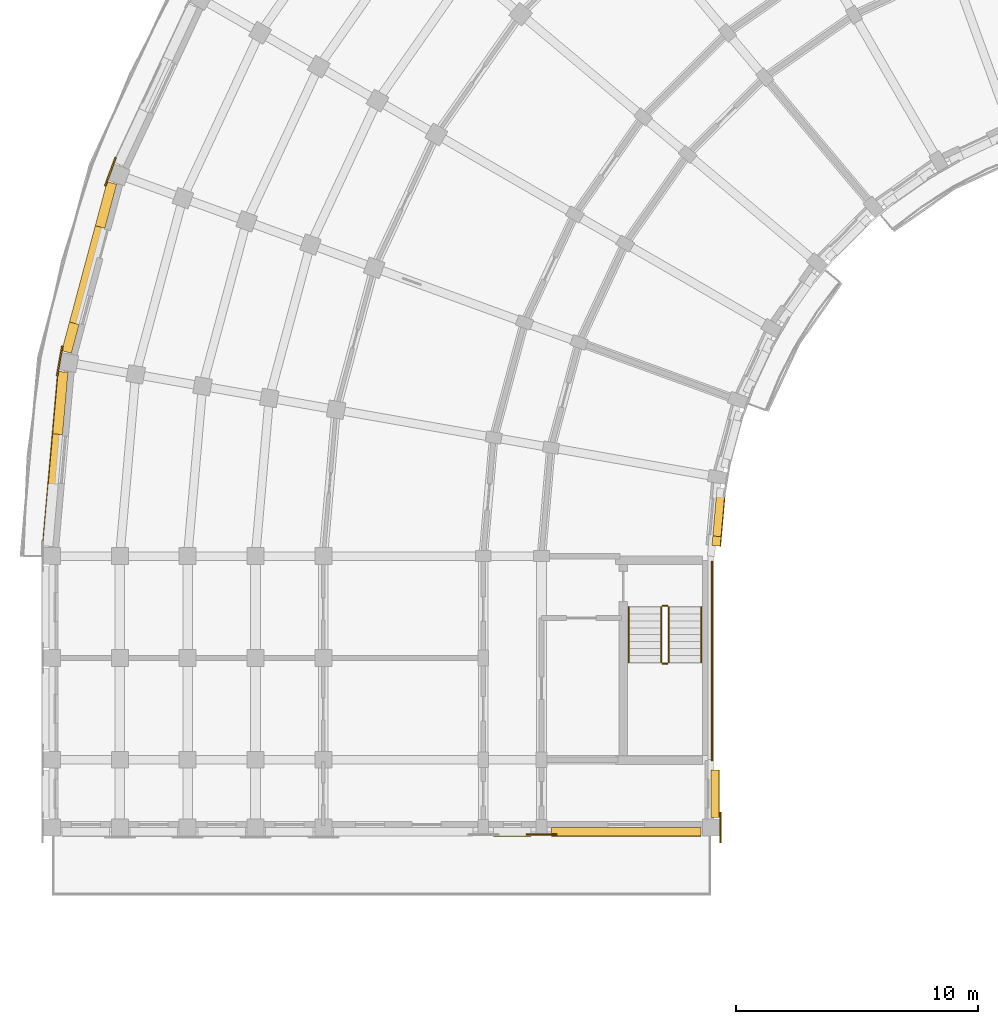
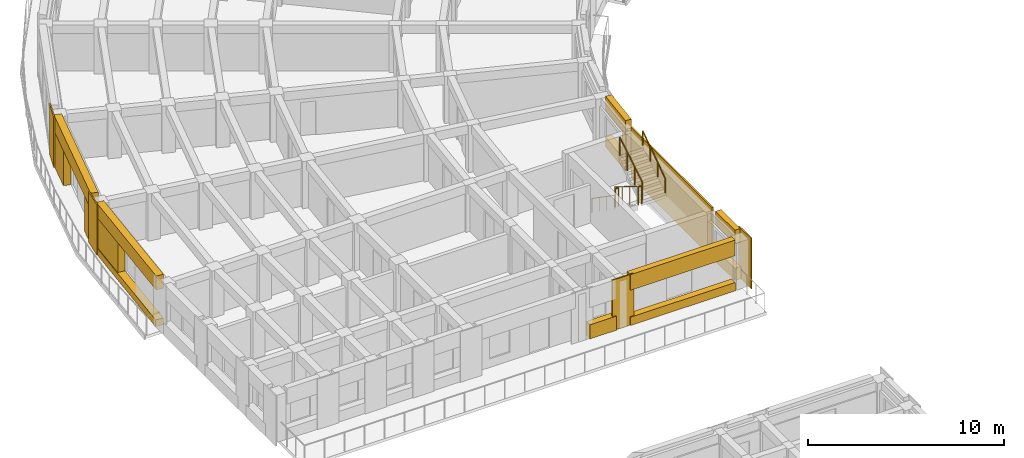
# One storey, part 44 of 54: 19 coverings, 6 railings.
"""IFC4 building model written with IfcOpenShell, lengths in metres."""

from ifc_helpers import new_model, si_unit, direction, frame, origin, origin_2d, place, context, subcontext, project, spatial, polyline, circle, outline, extrude, material, layer, layer_set, type_object, element, save


model = new_model("IFC4")

# Units and contexts
model_context = context("Model", 3, precision=1e-05, world=origin(), true_north=direction((0.0, 1.0)))
body_context = subcontext(model_context, "Body", "Model", "MODEL_VIEW")
ifc_project = project(units=[si_unit("LENGTHUNIT", "METRE"), si_unit("AREAUNIT", "SQUARE_METRE"), si_unit("VOLUMEUNIT", "CUBIC_METRE"), si_unit("PLANEANGLEUNIT", "RADIAN"), si_unit("MASSUNIT", "GRAM", prefix="KILO")], contexts=[model_context])

# Site, building, storey
site_placement = place(None, origin())
site = spatial("IfcSite", under=ifc_project, at=site_placement, CompositionType="ELEMENT")
building_placement = place(site_placement, origin())
building = spatial("IfcBuilding", under=site, at=building_placement, Name="Kiranvali Square Residences", CompositionType="ELEMENT")
storey_placement = place(building_placement, frame((0.0, 0.0, 27.60009765625)))
storey = spatial("IfcBuildingStorey", under=building, at=storey_placement, Name="L08", CompositionType="ELEMENT", Elevation=27.60009765625)

# Coverings
ifc_material_1 = material(Name="Honed Porbandar limestone ashlar facade cladding", Category="masonry")
ifc_layer_1 = layer(ifc_material_1, 0.3798828125)
ifc_layer_set_1 = layer_set([ifc_layer_1], Name="Honed Porbandar limestone ashlar facade cladding")
covering_type_1 = type_object("IfcCoveringType", Name="COV-CLAD-JAMB", PredefinedType="CLADDING", material=ifc_layer_set_1)
covering_1_placement = place(storey_placement, origin())
element("IfcCovering", 1, at=covering_1_placement, inside=storey, type_object=covering_type_1, Name="L08 deep limestone window jamb reveal A-L08-CRV-07.L", PredefinedType="CLADDING", context=body_context, shape_type="SweptSolid", body=[
    extrude(outline(polyline([(4.474609375, 103.252685546875), (3.989013671875, 101.440185546875), (4.384521484375, 101.334228515625), (4.8701171875, 103.146728515625), (4.474609375, 103.252685546875)])), origin(), (0.0, 0.0, 1.0), 2.179931640625),
])
covering_2_placement = place(storey_placement, origin())
element("IfcCovering", 2, at=covering_2_placement, inside=storey, type_object=covering_type_1, Name="L08 deep limestone window jamb reveal A-L08-CRV-07.R", PredefinedType="CLADDING", context=body_context, shape_type="SweptSolid", body=[
    extrude(outline(polyline([(2.923828125, 97.46533203125), (2.6064453125, 96.2802734375), (3.001953125, 96.17431640625), (3.3193359375, 97.359375), (2.923828125, 97.46533203125)])), origin(), (0.0, 0.0, 1.0), 2.179931640625),
])
covering_3_placement = place(storey_placement, frame((0.0, 0.0, 0.421875)))
element("IfcCovering", 3, at=covering_3_placement, inside=storey, type_object=covering_type_1, Name="L08 deep limestone window jamb reveal A-L08-CRV-08.L", PredefinedType="CLADDING", context=body_context, shape_type="SweptSolid", body=[
    extrude(outline(polyline([(2.45556640625, 95.425048828125), (2.230224609375, 92.850830078125), (2.63818359375, 92.81494140625), (2.863525390625, 95.389404296875), (2.45556640625, 95.425048828125)])), origin(), (0.0, 0.0, 1.0), 1.85009765625),
])
covering_4_placement = place(storey_placement, frame((0.0, 0.0, 0.621826171875)))
element("IfcCovering", 4, at=covering_4_placement, inside=storey, type_object=covering_type_1, Name="L08 deep limestone window jamb reveal A-L08-GDN-08.R", PredefinedType="CLADDING", context=body_context, shape_type="SweptSolid", body=[
    extrude(outline(polyline([(29.4736328125, 88.63525390625), (29.43896484375, 88.23828125), (29.777099609375, 88.208740234375), (29.811767578125, 88.605712890625), (29.4736328125, 88.63525390625)])), origin(), (0.0, 0.0, 1.0), 1.650146484375),
])
ifc_layer_2 = layer(ifc_material_1, 0.06494140625)
ifc_layer_set_2 = layer_set([ifc_layer_2], Name="Honed Porbandar limestone ashlar facade cladding")
covering_type_2 = type_object("IfcCoveringType", Name="COV-CLAD-PIER", PredefinedType="CLADDING", material=ifc_layer_set_2)
covering_5_placement = place(storey_placement, frame((0.0, 0.0, 0.0048828125)))
element("IfcCovering", 5, at=covering_5_placement, inside=storey, type_object=covering_type_2, Name="L08 Classical limestone corner pilaster CLAD-PR-A-L08-A07", PredefinedType="CLADDING", context=body_context, shape_type="SweptSolid", body=[
    extrude(outline(polyline([(4.796875, 104.267822265625), (4.365966796875, 103.083984375), (4.42919921875, 103.060791015625), (4.8603515625, 104.244873046875), (4.796875, 104.267822265625)])), origin(), (0.0, 0.0, 1.0), 3.14013671875),
])
covering_6_placement = place(storey_placement, frame((0.0, 0.0, 0.0048828125)))
element("IfcCovering", 6, at=covering_6_placement, inside=storey, type_object=covering_type_2, Name="L08 Classical limestone corner pilaster CLAD-PR-A-L08-A08", PredefinedType="CLADDING", context=body_context, shape_type="SweptSolid", body=[
    extrude(outline(polyline([(2.5966796875, 96.480712890625), (2.377685546875, 95.239990234375), (2.4443359375, 95.228271484375), (2.6630859375, 96.468994140625), (2.5966796875, 96.480712890625)])), origin(), (0.0, 0.0, 1.0), 3.14013671875),
])
covering_7_placement = place(storey_placement, frame((0.0, 0.0, 0.0048828125)))
element("IfcCovering", 7, at=covering_7_placement, inside=storey, type_object=covering_type_2, Name="Block A L08 Arm 2 stair limestone ashlar cladding", PredefinedType="CLADDING", context=body_context, shape_type="SweptSolid", body=[
    extrude(outline(polyline([(29.402099609375, 87.60009765625), (29.402099609375, 79.35009765625), (29.47998046875, 79.35009765625), (29.47998046875, 87.60009765625), (29.402099609375, 87.60009765625)])), origin(), (0.0, 0.0, 1.0), 3.14013671875),
])
ifc_layer_3 = layer(ifc_material_1, 0.050048828125)
ifc_layer_set_3 = layer_set([ifc_layer_3], Name="Honed Porbandar limestone ashlar facade cladding")
covering_type_3 = type_object("IfcCoveringType", Name="COV-CLAD-PIER-IN", PredefinedType="CLADDING", material=ifc_layer_set_3)
covering_8_placement = place(storey_placement, frame((0.0, 0.0, 0.0048828125)))
element("IfcCovering", 8, at=covering_8_placement, inside=storey, type_object=covering_type_3, Name="L08 Classical limestone pilaster casing CLAD-PRA2I-A-L08-V112", PredefinedType="CLADDING", context=body_context, shape_type="SweptSolid", body=[
    extrude(outline(polyline([(29.75048828125, 77.22998046875), (29.75048828125, 75.969970703125), (29.818115234375, 75.969970703125), (29.818115234375, 77.22998046875), (29.75048828125, 77.22998046875)])), origin(), (0.0, 0.0, 1.0), 3.14013671875),
])
ifc_layer_4 = layer(ifc_material_1, 0.054931640625)
ifc_layer_set_4 = layer_set([ifc_layer_4], Name="Honed Porbandar limestone ashlar facade cladding")
covering_type_4 = type_object("IfcCoveringType", Name="COV-CLAD-PIER-UP", PredefinedType="CLADDING", material=ifc_layer_set_4)
covering_9_placement = place(storey_placement, frame((0.0, 0.0, 0.0048828125)))
element("IfcCovering", 9, at=covering_9_placement, inside=storey, type_object=covering_type_4, Name="L08 Classical limestone pilaster casing CLAD-PRA2E-A-L08-R258", PredefinedType="CLADDING", context=body_context, shape_type="SweptSolid", body=[
    extrude(outline(polyline([(23.030029296875, 76.349609375), (21.77001953125, 76.349609375), (21.77001953125, 76.281982421875), (23.030029296875, 76.281982421875), (23.030029296875, 76.349609375)])), origin(), (0.0, 0.0, 1.0), 3.14013671875),
])
ifc_layer_5 = layer(ifc_material_1, 0.360107421875)
ifc_layer_set_5 = layer_set([ifc_layer_5], Name="Honed Porbandar limestone ashlar facade cladding")
covering_type_5 = type_object("IfcCoveringType", Name="COV-CLAD-WALL", PredefinedType="CLADDING", material=ifc_layer_set_5)
covering_10_placement = place(storey_placement, frame((0.0, 0.0, 2.179931640625)))
element("IfcCovering", 10, at=covering_10_placement, inside=storey, type_object=covering_type_5, Name="L08 light limestone spandrel lintel A-L08-CRV-07", PredefinedType="CLADDING", context=body_context, shape_type="SweptSolid", body=[
    extrude(outline(polyline([(4.474609375, 103.252685546875), (2.6064453125, 96.2802734375), (3.001953125, 96.17431640625), (4.8701171875, 103.146728515625), (4.474609375, 103.252685546875)])), origin(), (0.0, 0.0, 1.0), 0.965087890625),
])
covering_11_placement = place(storey_placement, frame((0.0, 0.0, 2.27197265625)))
element("IfcCovering", 11, at=covering_11_placement, inside=storey, type_object=covering_type_5, Name="L08 light limestone spandrel lintel A-L08-CRV-08", PredefinedType="CLADDING", context=body_context, shape_type="SweptSolid", body=[
    extrude(outline(polyline([(2.45556640625, 95.425048828125), (1.826416015625, 88.234130859375), (2.234375, 88.198486328125), (2.863525390625, 95.389404296875), (2.45556640625, 95.425048828125)])), origin(), (0.0, 0.0, 1.0), 0.873046875),
])
covering_12_placement = place(storey_placement, frame((0.0, 0.0, 0.0048828125)))
element("IfcCovering", 12, at=covering_12_placement, inside=storey, type_object=covering_type_5, Name="L08 limestone window sill apron A-L08-CRV-08", PredefinedType="CLADDING", context=body_context, shape_type="SweptSolid", body=[
    extrude(outline(polyline([(2.42578125, 95.427734375), (1.796630859375, 88.23681640625), (2.234375, 88.198486328125), (2.863525390625, 95.389404296875), (2.42578125, 95.427734375)])), origin(), (0.0, 0.0, 1.0), 0.4169921875),
])
covering_13_placement = place(storey_placement, frame((0.0, 0.0, 2.27197265625)))
element("IfcCovering", 13, at=covering_13_placement, inside=storey, type_object=covering_type_5, Name="L08 light limestone spandrel lintel A-L08-GDN-08", PredefinedType="CLADDING", context=body_context, shape_type="SweptSolid", body=[
    extrude(outline(polyline([(29.647705078125, 90.626220703125), (29.43896484375, 88.23828125), (29.777099609375, 88.208740234375), (29.986083984375, 90.5966796875), (29.647705078125, 90.626220703125)])), origin(), (0.0, 0.0, 1.0), 0.873046875),
])
covering_14_placement = place(storey_placement, frame((0.0, 0.0, 2.27197265625)))
element("IfcCovering", 14, at=covering_14_placement, inside=storey, type_object=covering_type_5, Name="L08 light limestone spandrel lintel A-L08-A2I-0", PredefinedType="CLADDING", context=body_context, shape_type="SweptSolid", body=[
    extrude(outline(polyline([(29.400390625, 78.97998046875), (29.400390625, 77.02001953125), (29.719970703125, 77.02001953125), (29.719970703125, 78.97998046875), (29.400390625, 78.97998046875)])), origin(), (0.0, 0.0, 1.0), 0.873046875),
])
covering_15_placement = place(storey_placement, frame((0.0, 0.0, 0.0048828125)))
element("IfcCovering", 15, at=covering_15_placement, inside=storey, type_object=covering_type_5, Name="L08 limestone window sill apron A-L08-A2I-0", PredefinedType="CLADDING", context=body_context, shape_type="SweptSolid", body=[
    extrude(outline(polyline([(29.400390625, 78.97998046875), (29.400390625, 77.02001953125), (29.75, 77.02001953125), (29.75, 78.97998046875), (29.400390625, 78.97998046875)])), origin(), (0.0, 0.0, 1.0), 0.76708984375),
])
covering_16_placement = place(storey_placement, frame((0.0, 0.0, 2.171875)))
element("IfcCovering", 16, at=covering_16_placement, inside=storey, type_object=covering_type_5, Name="L08 light limestone spandrel lintel A-L08-A2END-0", PredefinedType="CLADDING", context=body_context, shape_type="SweptSolid", body=[
    extrude(outline(polyline([(28.97998046875, 76.599609375), (22.820068359375, 76.599609375), (22.820068359375, 76.260009765625), (28.97998046875, 76.260009765625), (28.97998046875, 76.599609375)])), origin(), (0.0, 0.0, 1.0), 0.97314453125),
])
covering_17_placement = place(storey_placement, frame((0.0, 0.0, 0.0048828125)))
element("IfcCovering", 17, at=covering_17_placement, inside=storey, type_object=covering_type_5, Name="L08 limestone window sill apron A-L08-A2END-0", PredefinedType="CLADDING", context=body_context, shape_type="SweptSolid", body=[
    extrude(outline(polyline([(28.97998046875, 76.599609375), (22.820068359375, 76.599609375), (22.820068359375, 76.22998046875), (28.97998046875, 76.22998046875), (28.97998046875, 76.599609375)])), origin(), (0.0, 0.0, 1.0), 0.51708984375),
])
covering_18_placement = place(storey_placement, frame((0.0, 0.0, 0.0048828125)))
element("IfcCovering", 18, at=covering_18_placement, inside=storey, type_object=covering_type_5, Name="L08 limestone window sill apron A-L08-A2END-1", PredefinedType="CLADDING", context=body_context, shape_type="SweptSolid", body=[
    extrude(outline(polyline([(21.97998046875, 76.599609375), (20.419921875, 76.599609375), (20.419921875, 76.22998046875), (21.97998046875, 76.22998046875), (21.97998046875, 76.599609375)])), origin(), (0.0, 0.0, 1.0), 0.875),
])
ifc_layer_6 = layer(ifc_material_1, 0.2900390625)
ifc_layer_set_6 = layer_set([ifc_layer_6], Name="Honed Porbandar limestone ashlar facade cladding")
covering_type_6 = type_object("IfcCoveringType", Name="COV-CLAD-WALL-IN", PredefinedType="CLADDING", material=ifc_layer_set_6)
covering_19_placement = place(storey_placement, frame((0.0, 0.0, 0.0048828125)))
element("IfcCovering", 19, at=covering_19_placement, inside=storey, type_object=covering_type_6, Name="L08 limestone window sill apron A-L08-GDN-08", PredefinedType="CLADDING", context=body_context, shape_type="SweptSolid", body=[
    extrude(outline(polyline([(29.647705078125, 90.626220703125), (29.43896484375, 88.23828125), (29.806884765625, 88.2060546875), (30.015869140625, 90.593994140625), (29.647705078125, 90.626220703125)])), origin(), (0.0, 0.0, 1.0), 0.616943359375),
])

# Railings
ifc_material_2 = material(Name="Brushed stainless steel tubular handrail", Category="steel")
railing_type_1 = type_object("IfcRailingType", Name="RL-HANDRAIL-900", PredefinedType="HANDRAIL", material=ifc_material_2)
railing_1_placement = place(storey_placement, frame((26.0, 85.699951171875, 0.1748046875)))
element("IfcRailing", 20, at=railing_1_placement, inside=storey, type_object=railing_type_1, Name="L08 ST-A3 stair handrail 1", PredefinedType="HANDRAIL", context=body_context, shape_type="SweptSolid", body=[
    extrude(circle(Radius=0.02392578125, at=origin_2d()), frame((0.0, 0.0, 0.8759765625), z_axis=(0.0, -0.82274681792, 0.568408016835), x_axis=(1.0, 0.0, 0.0)), (0.0, 0.0, 1.0), 2.771240234375),
    extrude(circle(Radius=0.02099609375, at=origin_2d()), origin(), (0.0, 0.0, 1.0), 0.851806640625),
    extrude(circle(Radius=0.02099609375, at=origin_2d()), frame((0.0, -0.760009765625, 0.525146484375)), (0.0, 0.0, 1.0), 0.851806640625),
    extrude(circle(Radius=0.02099609375, at=origin_2d()), frame((0.0, -1.52001953125, 1.050048828125)), (0.0, 0.0, 1.0), 0.851806640625),
    extrude(circle(Radius=0.02099609375, at=origin_2d()), frame((0.0, -2.280029296875, 1.5751953125)), (0.0, 0.0, 1.0), 0.851806640625),
])
railing_2_placement = place(storey_placement, frame((29.0, 83.419921875, 1.75)))
element("IfcRailing", 21, at=railing_2_placement, inside=storey, type_object=railing_type_1, Name="L08 ST-A3 stair handrail 2", PredefinedType="HANDRAIL", context=body_context, shape_type="SweptSolid", body=[
    extrude(circle(Radius=0.02392578125, at=origin_2d()), frame((0.0, 0.0, 0.8759765625), z_axis=(0.0, 0.82278801735, 0.568348377763), x_axis=(-1.0, 0.0, 0.0)), (0.0, 0.0, 1.0), 2.77099609375),
    extrude(circle(Radius=0.02099609375, at=origin_2d()), origin(), (0.0, 0.0, 1.0), 0.851806640625),
    extrude(circle(Radius=0.02099609375, at=origin_2d()), frame((0.0, 0.760009765625, 0.52490234375)), (0.0, 0.0, 1.0), 0.851806640625),
    extrude(circle(Radius=0.02099609375, at=origin_2d()), frame((0.0, 1.52001953125, 1.050048828125)), (0.0, 0.0, 1.0), 0.851806640625),
    extrude(circle(Radius=0.02099609375, at=origin_2d()), frame((0.0, 2.280029296875, 1.574951171875)), (0.0, 0.0, 1.0), 0.851806640625),
])
ifc_material_3 = material(Name="Powder-coated architectural bronze balustrade", Category="steel")
railing_type_2 = type_object("IfcRailingType", Name="RL-ST-GUARD-1200", PredefinedType="GUARDRAIL", material=ifc_material_3)
railing_3_placement = place(storey_placement, frame((27.35009765625, 85.699951171875, 0.1748046875)))
element("IfcRailing", 22, at=railing_3_placement, inside=storey, type_object=railing_type_2, Name="L08 ST-A3 stair guard 1", PredefinedType="GUARDRAIL", context=body_context, shape_type="SweptSolid", body=[
    extrude(circle(Radius=0.02392578125, at=origin_2d()), frame((0.0, 0.0, 1.1259765625), z_axis=(0.0, -0.852149810458, 0.523297908018), x_axis=(1.0, 0.0, 0.0)), (0.0, 0.0, 1.0), 2.675537109375),
    extrude(circle(Radius=0.02099609375, at=origin_2d()), origin(), (0.0, 0.0, 1.0), 1.101806640625),
    extrude(circle(Radius=0.02099609375, at=origin_2d()), frame((0.0, -0.760009765625, 0.466796875)), (0.0, 0.0, 1.0), 1.101806640625),
    extrude(circle(Radius=0.02099609375, at=origin_2d()), frame((0.0, -1.52001953125, 0.933349609375)), (0.0, 0.0, 1.0), 1.101806640625),
    extrude(circle(Radius=0.02099609375, at=origin_2d()), frame((0.0, -2.280029296875, 1.400146484375)), (0.0, 0.0, 1.0), 1.101806640625),
])
railing_4_placement = place(storey_placement, frame((27.39990234375, 83.3701171875, 1.574951171875)))
element("IfcRailing", 23, at=railing_4_placement, inside=storey, type_object=railing_type_2, Name="L08 ST-A3 stair guard 2", PredefinedType="GUARDRAIL", context=body_context, shape_type="SweptSolid", body=[
    extrude(circle(Radius=0.02392578125, at=origin_2d()), frame((0.0, 0.0, 1.1259765625), z_axis=(1.0, 0.0, 0.0), x_axis=(0.0, 1.0, 0.0)), (0.0, 0.0, 1.0), 0.2001953125),
    extrude(circle(Radius=0.02099609375, at=origin_2d()), origin(), (0.0, 0.0, 1.0), 1.101806640625),
    extrude(circle(Radius=0.02099609375, at=origin_2d()), frame((0.2001953125, 0.0, 0.0)), (0.0, 0.0, 1.0), 1.101806640625),
])
railing_5_placement = place(storey_placement, frame((27.64990234375, 83.419921875, 1.75)))
element("IfcRailing", 24, at=railing_5_placement, inside=storey, type_object=railing_type_2, Name="L08 ST-A3 stair guard 3", PredefinedType="GUARDRAIL", context=body_context, shape_type="SweptSolid", body=[
    extrude(circle(Radius=0.02392578125, at=origin_2d()), frame((0.0, 0.0, 1.1259765625), z_axis=(0.0, 0.852190499154, 0.523231643875), x_axis=(-1.0, 0.0, 0.0)), (0.0, 0.0, 1.0), 2.675537109375),
    extrude(circle(Radius=0.02099609375, at=origin_2d()), origin(), (0.0, 0.0, 1.0), 1.101806640625),
    extrude(circle(Radius=0.02099609375, at=origin_2d()), frame((0.0, 0.760009765625, 0.466552734375)), (0.0, 0.0, 1.0), 1.101806640625),
    extrude(circle(Radius=0.02099609375, at=origin_2d()), frame((0.0, 1.52001953125, 0.933349609375)), (0.0, 0.0, 1.0), 1.101806640625),
    extrude(circle(Radius=0.02099609375, at=origin_2d()), frame((0.0, 2.280029296875, 1.39990234375)), (0.0, 0.0, 1.0), 1.101806640625),
])
railing_6_placement = place(storey_placement, frame((27.39990234375, 85.75, 0.0)))
element("IfcRailing", 25, at=railing_6_placement, inside=storey, type_object=railing_type_2, Name="L08 ST-A3 stair guard 4", PredefinedType="GUARDRAIL", context=body_context, shape_type="SweptSolid", body=[
    extrude(circle(Radius=0.02392578125, at=origin_2d()), frame((0.0, 0.0, 1.1259765625), z_axis=(1.0, 0.0, 0.0), x_axis=(0.0, 1.0, 0.0)), (0.0, 0.0, 1.0), 0.2001953125),
    extrude(circle(Radius=0.02099609375, at=origin_2d()), origin(), (0.0, 0.0, 1.0), 1.101806640625),
    extrude(circle(Radius=0.02099609375, at=origin_2d()), frame((0.2001953125, 0.0, 0.0)), (0.0, 0.0, 1.0), 1.101806640625),
])

save(model, "model.ifc")
